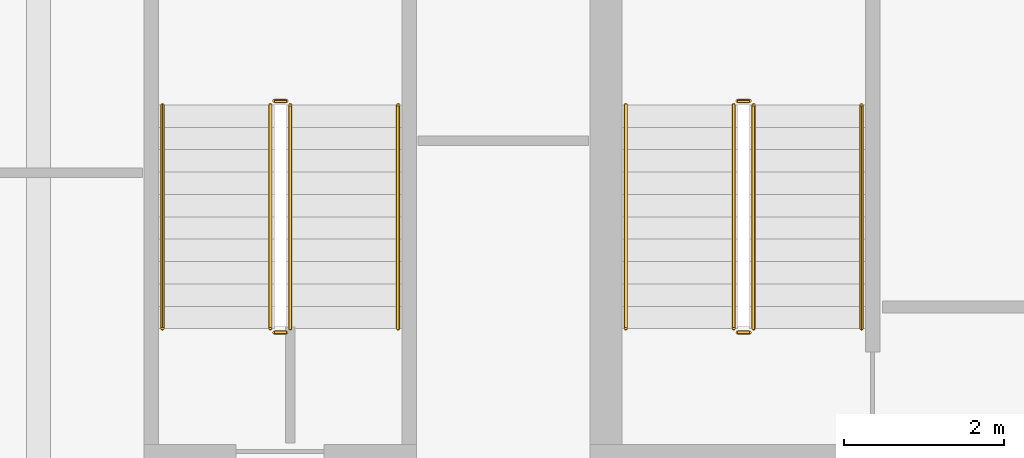
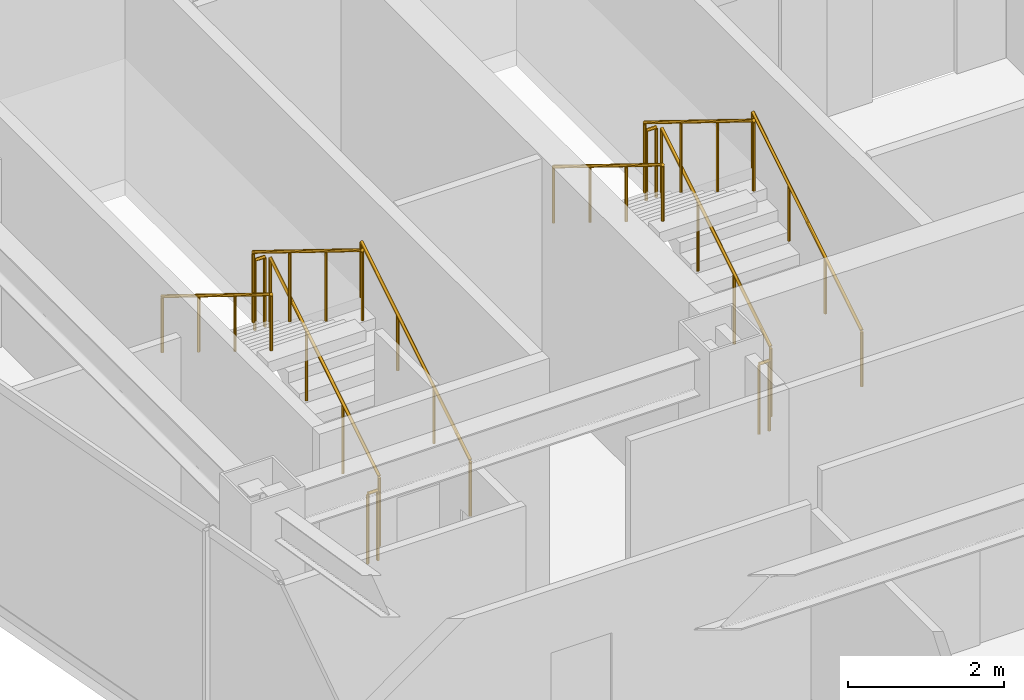
# One storey, part 30 of 32: 12 railings.
"""IFC4 building model written with IfcOpenShell, lengths in metres."""

import ifcopenshell
import ifcopenshell.guid

model = None  # the IFC model being written
_history = None  # IfcOwnerHistory: only IFC2X3 demands one
_inside = {}  # id of a spatial element -> (the spatial element, [elements in it])
_under = {}  # id of a project, library or spatial element -> (it, [spatial elements below it])
_declared = {}  # id of a project -> (the project, [libraries it declares])
_typed = {}  # id of a type object -> (the type object, [elements of that type])
_made_of = {}  # id of a material, layer set ... -> (it, [elements and type objects made of it])


def new_model(schema):
    """Start an empty IFC model of exactly this schema.

    Asked for "IFC4X3", IfcOpenShell would pick the latest addendum, in which some entities
    have other attributes; the version numbers below select the first issue.
    IFC2X3 requires an IfcOwnerHistory on every rooted entity: one is made here for all.
    """
    global model, _history
    if schema == "IFC4X3":
        model = ifcopenshell.file(schema_version=(4, 3, 0, 0))
    else:
        model = ifcopenshell.file(schema=schema)
    _inside.clear()
    _under.clear()
    _declared.clear()
    _typed.clear()
    _made_of.clear()
    _history = None
    if model.schema == "IFC2X3":
        org = make("IfcOrganization", Name="unknown")
        user = make(
            "IfcPersonAndOrganization",
            ThePerson=make("IfcPerson", FamilyName="unknown"),
            TheOrganization=org,
        )
        app = make(
            "IfcApplication",
            ApplicationDeveloper=org,
            Version="unknown",
            ApplicationFullName="unknown",
            ApplicationIdentifier="unknown",
        )
        _history = make(
            "IfcOwnerHistory",
            OwningUser=user,
            OwningApplication=app,
            ChangeAction="ADDED",
            CreationDate=0,
        )
    return model


def make(cls, **values):
    """One entity of the class cls with the attributes given. An attribute that is None is left unset."""
    return model.create_entity(
        cls, **{name: value for name, value in values.items() if value is not None}
    )


def rooted(cls, **values):
    """An entity with a GlobalId (a new one), such as an element, a storey or a relation."""
    return make(cls, GlobalId=ifcopenshell.guid.new(), OwnerHistory=_history, **values)


def si_unit(unit_type, name, prefix=None):
    """IfcSIUnit, for example si_unit("LENGTHUNIT", "METRE", prefix="MILLI")."""
    return make("IfcSIUnit", UnitType=unit_type, Prefix=prefix, Name=name)


def assignment(units):
    """IfcUnitAssignment: the units of a project."""
    return None if units is None else make("IfcUnitAssignment", Units=units)


def point(xyz):
    """IfcCartesianPoint."""
    return None if xyz is None else make("IfcCartesianPoint", Coordinates=xyz)


def direction(xyz):
    """IfcDirection."""
    return None if xyz is None else make("IfcDirection", DirectionRatios=xyz)


def frame(location, z_axis=None, x_axis=None):
    """IfcAxis2Placement3D, a coordinate frame: its origin and axes. An axis left out is left unset."""
    return make(
        "IfcAxis2Placement3D",
        Location=point(location),
        Axis=direction(z_axis),
        RefDirection=direction(x_axis),
    )


def frame_2d(location, x_axis=None):
    """IfcAxis2Placement2D, a coordinate frame in the plane: its origin and x axis."""
    return make(
        "IfcAxis2Placement2D", Location=point(location), RefDirection=direction(x_axis)
    )


def origin():
    """The frame at (0, 0, 0) with its axes left unset."""
    return frame((0.0, 0.0, 0.0))


def origin_2d():
    """The frame at (0, 0) in the plane with its x axis left unset."""
    return frame_2d((0.0, 0.0))


def place(relative_to, where):
    """IfcLocalPlacement: puts the frame where relative to a parent placement (None: the world)."""
    return make(
        "IfcLocalPlacement", PlacementRelTo=relative_to, RelativePlacement=where
    )


def context(
    kind, dimensions, precision=None, world=None, true_north=None, identifier=None
):
    """IfcGeometricRepresentationContext, for example the 3D "Model" context."""
    return make(
        "IfcGeometricRepresentationContext",
        ContextIdentifier=identifier,
        ContextType=kind,
        CoordinateSpaceDimension=dimensions,
        Precision=precision,
        WorldCoordinateSystem=world,
        TrueNorth=true_north,
    )


def subcontext(parent, identifier, kind, view, scale=None):
    """IfcGeometricRepresentationSubContext, for example "Body" below "Model"."""
    return make(
        "IfcGeometricRepresentationSubContext",
        ContextIdentifier=identifier,
        ContextType=kind,
        ParentContext=parent,
        TargetScale=scale,
        TargetView=view,
    )


def project(units=None, contexts=None):
    """IfcProject with its units and contexts."""
    return rooted(
        "IfcProject",
        Name="project",
        RepresentationContexts=contexts,
        UnitsInContext=assignment(units),
    )


def spatial(cls, under=None, at=None, **own):
    """A site, building, storey or space (cls), placed at a placement, below another one or the project."""
    s = rooted(cls, ObjectPlacement=at, **own)
    if under is not None:
        _under.setdefault(under.id(), (under, []))[1].append(s)
    return s


def profile(cls, at=None, kind="AREA", **sizes):
    """A parametric profile (cls). Its sizes go by their IFC names, for example OverallWidth=200.0."""
    return make(cls, ProfileType=kind, Position=at, **sizes)


def circle(**sizes):
    """IfcCircleProfileDef."""
    return profile("IfcCircleProfileDef", **sizes)


def extrude(swept, where, along, depth):
    """IfcExtrudedAreaSolid: the profile swept, set in the frame where, extruded along a direction by depth."""
    return make(
        "IfcExtrudedAreaSolid",
        SweptArea=swept,
        Position=where,
        ExtrudedDirection=direction(along),
        Depth=depth,
    )


def shape(context_of_items, identifier, shape_type, items):
    """IfcShapeRepresentation: the items that make up one representation, for example the "Body"."""
    return make(
        "IfcShapeRepresentation",
        ContextOfItems=context_of_items,
        RepresentationIdentifier=identifier,
        RepresentationType=shape_type,
        Items=items,
    )


def material(Name=None, Category=None):
    """IfcMaterial."""
    return make("IfcMaterial", Name=Name, Category=Category)


def made_of(thing, what):
    """Note that an element or type object is made of a material, layer set ...; save() writes the relation."""
    if what is not None:
        _made_of.setdefault(what.id(), (what, []))[1].append(thing)
    return thing


def type_object(cls, material=None, **own):
    """A type object (cls), such as IfcWallType, which elements share."""
    return made_of(rooted(cls, **own), material)


def element(
    cls,
    number,
    at=None,
    inside=None,
    cuts=None,
    type_object=None,
    material=None,
    context=None,
    identifier="Body",
    shape_type=None,
    held_by="IfcProductDefinitionShape",
    body=None,
    shapes=None,
    **own,
):
    """One element of the class cls, such as IfcWall. Its Tag is "e" and its number.

    at: its placement. inside: the storey or other place that contains it. cuts: it is an
    opening in that element (IfcRelVoidsElement). A single representation is given by context,
    identifier, shape_type and body (its items); several are given by shapes. held_by: the class
    of the entity that holds the representations. save() writes the other relations.
    """
    e = rooted(cls, Tag="e%d" % number, ObjectPlacement=at, **own)
    if body is not None:
        shapes = [shape(context, identifier, shape_type, body)]
    if shapes is not None:
        e.Representation = make(held_by, Representations=shapes)
    if inside is not None:
        _inside.setdefault(inside.id(), (inside, []))[1].append(e)
    if cuts is not None:
        rooted(
            "IfcRelVoidsElement", RelatingBuildingElement=cuts, RelatedOpeningElement=e
        )
    if type_object is not None:
        _typed.setdefault(type_object.id(), (type_object, []))[1].append(e)
    return made_of(e, material)


def aggregate(whole, parts):
    """IfcRelAggregates: a whole, such as a stair, and the parts it consists of."""
    return rooted("IfcRelAggregates", RelatingObject=whole, RelatedObjects=parts)


def save(model, path):
    """Write the relations noted so far, then the file.

    IfcRelAggregates (storeys below a building ...), IfcRelContainedInSpatialStructure (elements
    in a storey), IfcRelDefinesByType, IfcRelAssociatesMaterial and IfcRelDeclares: one each for
    every whole, place, type object, material and project.
    """
    for whole, parts in _under.values():
        aggregate(whole, parts)
    for where, things in _inside.values():
        rooted(
            "IfcRelContainedInSpatialStructure",
            RelatedElements=things,
            RelatingStructure=where,
        )
    for kind, things in _typed.values():
        rooted("IfcRelDefinesByType", RelatedObjects=things, RelatingType=kind)
    for what, things in _made_of.values():
        rooted("IfcRelAssociatesMaterial", RelatedObjects=things, RelatingMaterial=what)
    for by, libraries in _declared.values():
        rooted("IfcRelDeclares", RelatingContext=by, RelatedDefinitions=libraries)
    model.write(path)


model = new_model("IFC4")

# Units and contexts
model_context = context("Model", 3, precision=1e-05, world=origin(), true_north=direction((0.0, 1.0)))
body_context = subcontext(model_context, "Body", "Model", "MODEL_VIEW")
ifc_project = project(units=[si_unit("LENGTHUNIT", "METRE"), si_unit("AREAUNIT", "SQUARE_METRE"), si_unit("VOLUMEUNIT", "CUBIC_METRE"), si_unit("PLANEANGLEUNIT", "RADIAN"), si_unit("MASSUNIT", "GRAM", prefix="KILO")], contexts=[model_context])

# Site, building, storey
site_placement = place(None, origin())
site = spatial("IfcSite", under=ifc_project, at=site_placement, CompositionType="ELEMENT")
building_placement = place(site_placement, origin())
building = spatial("IfcBuilding", under=site, at=building_placement, Name="Saevonmaru Cultural Tower", CompositionType="ELEMENT")
storey_placement = place(building_placement, frame((0.0, 0.0, 242.0)))
storey = spatial("IfcBuildingStorey", under=building, at=storey_placement, Name="L56", CompositionType="ELEMENT", Elevation=242.0)

# Railings
ifc_material_1 = material(Name="Architectural Painted Steel", Category="steel")
railing_type_1 = type_object("IfcRailingType", Name="RL-STAIR-GUARD", PredefinedType="GUARDRAIL", material=ifc_material_1)
railing_1_placement = place(storey_placement, frame((15.75, 44.85009765625, 0.172607421875)))
element("IfcRailing", 1, at=railing_1_placement, inside=storey, type_object=railing_type_1, Name="L56 ST-1 stair guard 1", PredefinedType="GUARDRAIL", context=body_context, shape_type="SweptSolid", body=[
    extrude(circle(Radius=0.02392578125, at=origin_2d()), frame((0.0, 0.0, 1.09619140625), z_axis=(0.0, 0.851069175582, 0.525053576669), x_axis=(-1.0, 0.0, 0.0)), (0.0, 0.0, 1.0), 3.289794921875),
    extrude(circle(Radius=0.02099609375, at=origin_2d()), origin(), (0.0, 0.0, 1.0), 1.072021484375),
    extrude(circle(Radius=0.02099609375, at=origin_2d()), frame((0.0, 0.933349609375, 0.57568359375)), (0.0, 0.0, 1.0), 1.072021484375),
    extrude(circle(Radius=0.02099609375, at=origin_2d()), frame((0.0, 1.866455078125, 1.151611328125)), (0.0, 0.0, 1.0), 1.072021484375),
    extrude(circle(Radius=0.02099609375, at=origin_2d()), frame((0.0, 2.7998046875, 1.727294921875)), (0.0, 0.0, 1.0), 1.072021484375),
])
railing_2_placement = place(storey_placement, frame((15.699951171875, 47.699951171875, 1.89990234375)))
element("IfcRailing", 2, at=railing_2_placement, inside=storey, type_object=railing_type_1, Name="L56 ST-1 stair guard 2", PredefinedType="GUARDRAIL", context=body_context, shape_type="SweptSolid", body=[
    extrude(circle(Radius=0.02392578125, at=origin_2d()), frame((0.0, 0.0, 1.09619140625), z_axis=(-1.0, 0.0, 0.0), x_axis=(0.0, -1.0, 0.0)), (0.0, 0.0, 1.0), 0.14990234375),
    extrude(circle(Radius=0.02099609375, at=origin_2d()), origin(), (0.0, 0.0, 1.0), 1.072021484375),
    extrude(circle(Radius=0.02099609375, at=origin_2d()), frame((-0.14990234375, 0.0, 0.0)), (0.0, 0.0, 1.0), 1.072021484375),
])
railing_3_placement = place(storey_placement, frame((15.5, 47.64990234375, 2.07275390625)))
element("IfcRailing", 3, at=railing_3_placement, inside=storey, type_object=railing_type_1, Name="L56 ST-1 stair guard 3", PredefinedType="GUARDRAIL", context=body_context, shape_type="SweptSolid", body=[
    extrude(circle(Radius=0.02392578125, at=origin_2d()), frame((0.0, 0.0, 1.09619140625), z_axis=(0.0, -0.851069175582, 0.525053576669), x_axis=(1.0, 0.0, 0.0)), (0.0, 0.0, 1.0), 3.289794921875),
    extrude(circle(Radius=0.02099609375, at=origin_2d()), origin(), (0.0, 0.0, 1.0), 1.072021484375),
    extrude(circle(Radius=0.02099609375, at=origin_2d()), frame((0.0, -0.933349609375, 0.57568359375)), (0.0, 0.0, 1.0), 1.072021484375),
    extrude(circle(Radius=0.02099609375, at=origin_2d()), frame((0.0, -1.866455078125, 1.151611328125)), (0.0, 0.0, 1.0), 1.072021484375),
    extrude(circle(Radius=0.02099609375, at=origin_2d()), frame((0.0, -2.7998046875, 1.727294921875)), (0.0, 0.0, 1.0), 1.072021484375),
])
railing_4_placement = place(storey_placement, frame((15.699951171875, 44.800048828125, 0.0)))
element("IfcRailing", 4, at=railing_4_placement, inside=storey, type_object=railing_type_1, Name="L56 ST-1 stair guard 4", PredefinedType="GUARDRAIL", context=body_context, shape_type="SweptSolid", body=[
    extrude(circle(Radius=0.02392578125, at=origin_2d()), frame((0.0, 0.0, 1.09619140625), z_axis=(-1.0, 0.0, 0.0), x_axis=(0.0, -1.0, 0.0)), (0.0, 0.0, 1.0), 0.14990234375),
    extrude(circle(Radius=0.02099609375, at=origin_2d()), origin(), (0.0, 0.0, 1.0), 1.072021484375),
    extrude(circle(Radius=0.02099609375, at=origin_2d()), frame((-0.14990234375, 0.0, 0.0)), (0.0, 0.0, 1.0), 1.072021484375),
])
railing_5_placement = place(storey_placement, frame((9.949951171875, 44.85009765625, 0.172607421875)))
element("IfcRailing", 5, at=railing_5_placement, inside=storey, type_object=railing_type_1, Name="L56 ST-3 stair guard 1", PredefinedType="GUARDRAIL", context=body_context, shape_type="SweptSolid", body=[
    extrude(circle(Radius=0.02392578125, at=origin_2d()), frame((0.0, 0.0, 1.09619140625), z_axis=(0.0, 0.851069175582, 0.525053576669), x_axis=(-1.0, 0.0, 0.0)), (0.0, 0.0, 1.0), 3.289794921875),
    extrude(circle(Radius=0.02099609375, at=origin_2d()), origin(), (0.0, 0.0, 1.0), 1.072021484375),
    extrude(circle(Radius=0.02099609375, at=origin_2d()), frame((0.0, 0.933349609375, 0.57568359375)), (0.0, 0.0, 1.0), 1.072021484375),
    extrude(circle(Radius=0.02099609375, at=origin_2d()), frame((0.0, 1.866455078125, 1.151611328125)), (0.0, 0.0, 1.0), 1.072021484375),
    extrude(circle(Radius=0.02099609375, at=origin_2d()), frame((0.0, 2.7998046875, 1.727294921875)), (0.0, 0.0, 1.0), 1.072021484375),
])
railing_6_placement = place(storey_placement, frame((9.89990234375, 47.699951171875, 1.89990234375)))
element("IfcRailing", 6, at=railing_6_placement, inside=storey, type_object=railing_type_1, Name="L56 ST-3 stair guard 2", PredefinedType="GUARDRAIL", context=body_context, shape_type="SweptSolid", body=[
    extrude(circle(Radius=0.02392578125, at=origin_2d()), frame((0.0, 0.0, 1.09619140625), z_axis=(-1.0, 0.0, 0.0), x_axis=(0.0, -1.0, 0.0)), (0.0, 0.0, 1.0), 0.14990234375),
    extrude(circle(Radius=0.02099609375, at=origin_2d()), origin(), (0.0, 0.0, 1.0), 1.072021484375),
    extrude(circle(Radius=0.02099609375, at=origin_2d()), frame((-0.14990234375, 0.0, 0.0)), (0.0, 0.0, 1.0), 1.072021484375),
])
railing_7_placement = place(storey_placement, frame((9.699951171875, 47.64990234375, 2.07275390625)))
element("IfcRailing", 7, at=railing_7_placement, inside=storey, type_object=railing_type_1, Name="L56 ST-3 stair guard 3", PredefinedType="GUARDRAIL", context=body_context, shape_type="SweptSolid", body=[
    extrude(circle(Radius=0.02392578125, at=origin_2d()), frame((0.0, 0.0, 1.09619140625), z_axis=(0.0, -0.851069175582, 0.525053576669), x_axis=(1.0, 0.0, 0.0)), (0.0, 0.0, 1.0), 3.289794921875),
    extrude(circle(Radius=0.02099609375, at=origin_2d()), origin(), (0.0, 0.0, 1.0), 1.072021484375),
    extrude(circle(Radius=0.02099609375, at=origin_2d()), frame((0.0, -0.933349609375, 0.57568359375)), (0.0, 0.0, 1.0), 1.072021484375),
    extrude(circle(Radius=0.02099609375, at=origin_2d()), frame((0.0, -1.866455078125, 1.151611328125)), (0.0, 0.0, 1.0), 1.072021484375),
    extrude(circle(Radius=0.02099609375, at=origin_2d()), frame((0.0, -2.7998046875, 1.727294921875)), (0.0, 0.0, 1.0), 1.072021484375),
])
railing_8_placement = place(storey_placement, frame((9.89990234375, 44.800048828125, 0.0)))
element("IfcRailing", 8, at=railing_8_placement, inside=storey, type_object=railing_type_1, Name="L56 ST-3 stair guard 4", PredefinedType="GUARDRAIL", context=body_context, shape_type="SweptSolid", body=[
    extrude(circle(Radius=0.02392578125, at=origin_2d()), frame((0.0, 0.0, 1.09619140625), z_axis=(-1.0, 0.0, 0.0), x_axis=(0.0, -1.0, 0.0)), (0.0, 0.0, 1.0), 0.14990234375),
    extrude(circle(Radius=0.02099609375, at=origin_2d()), origin(), (0.0, 0.0, 1.0), 1.072021484375),
    extrude(circle(Radius=0.02099609375, at=origin_2d()), frame((-0.14990234375, 0.0, 0.0)), (0.0, 0.0, 1.0), 1.072021484375),
])
ifc_material_2 = material(Name="Satin Bronze Anodised Aluminium", Category="aluminium")
railing_type_2 = type_object("IfcRailingType", Name="RL-STAIR-HANDRAIL", PredefinedType="HANDRAIL", material=ifc_material_2)
railing_9_placement = place(storey_placement, frame((17.10009765625, 44.85009765625, 0.172607421875)))
element("IfcRailing", 9, at=railing_9_placement, inside=storey, type_object=railing_type_2, Name="L56 ST-1 stair handrail 1", PredefinedType="HANDRAIL", context=body_context, shape_type="SweptSolid", body=[
    extrude(circle(Radius=0.02392578125, at=origin_2d()), frame((0.0, 0.0, 0.8759765625), z_axis=(0.0, 0.851069175582, 0.525053576669), x_axis=(-1.0, 0.0, 0.0)), (0.0, 0.0, 1.0), 3.289794921875),
    extrude(circle(Radius=0.02099609375, at=origin_2d()), origin(), (0.0, 0.0, 1.0), 0.851806640625),
    extrude(circle(Radius=0.02099609375, at=origin_2d()), frame((0.0, 0.933349609375, 0.57568359375)), (0.0, 0.0, 1.0), 0.851806640625),
    extrude(circle(Radius=0.02099609375, at=origin_2d()), frame((0.0, 1.866455078125, 1.151611328125)), (0.0, 0.0, 1.0), 0.851806640625),
    extrude(circle(Radius=0.02099609375, at=origin_2d()), frame((0.0, 2.7998046875, 1.727294921875)), (0.0, 0.0, 1.0), 0.851806640625),
])
railing_10_placement = place(storey_placement, frame((14.14990234375, 47.64990234375, 2.07275390625)))
element("IfcRailing", 10, at=railing_10_placement, inside=storey, type_object=railing_type_2, Name="L56 ST-1 stair handrail 2", PredefinedType="HANDRAIL", context=body_context, shape_type="SweptSolid", body=[
    extrude(circle(Radius=0.02392578125, at=origin_2d()), frame((0.0, 0.0, 0.8759765625), z_axis=(0.0, -0.851069175582, 0.525053576669), x_axis=(1.0, 0.0, 0.0)), (0.0, 0.0, 1.0), 3.289794921875),
    extrude(circle(Radius=0.02099609375, at=origin_2d()), origin(), (0.0, 0.0, 1.0), 0.851806640625),
    extrude(circle(Radius=0.02099609375, at=origin_2d()), frame((0.0, -0.933349609375, 0.57568359375)), (0.0, 0.0, 1.0), 0.851806640625),
    extrude(circle(Radius=0.02099609375, at=origin_2d()), frame((0.0, -1.866455078125, 1.151611328125)), (0.0, 0.0, 1.0), 0.851806640625),
    extrude(circle(Radius=0.02099609375, at=origin_2d()), frame((0.0, -2.7998046875, 1.727294921875)), (0.0, 0.0, 1.0), 0.851806640625),
])
railing_11_placement = place(storey_placement, frame((11.300048828125, 44.85009765625, 0.172607421875)))
element("IfcRailing", 11, at=railing_11_placement, inside=storey, type_object=railing_type_2, Name="L56 ST-3 stair handrail 1", PredefinedType="HANDRAIL", context=body_context, shape_type="SweptSolid", body=[
    extrude(circle(Radius=0.02392578125, at=origin_2d()), frame((0.0, 0.0, 0.8759765625), z_axis=(0.0, 0.851069175582, 0.525053576669), x_axis=(-1.0, 0.0, 0.0)), (0.0, 0.0, 1.0), 3.289794921875),
    extrude(circle(Radius=0.02099609375, at=origin_2d()), origin(), (0.0, 0.0, 1.0), 0.851806640625),
    extrude(circle(Radius=0.02099609375, at=origin_2d()), frame((0.0, 0.933349609375, 0.57568359375)), (0.0, 0.0, 1.0), 0.851806640625),
    extrude(circle(Radius=0.02099609375, at=origin_2d()), frame((0.0, 1.866455078125, 1.151611328125)), (0.0, 0.0, 1.0), 0.851806640625),
    extrude(circle(Radius=0.02099609375, at=origin_2d()), frame((0.0, 2.7998046875, 1.727294921875)), (0.0, 0.0, 1.0), 0.851806640625),
])
railing_12_placement = place(storey_placement, frame((8.35009765625, 47.64990234375, 2.07275390625)))
element("IfcRailing", 12, at=railing_12_placement, inside=storey, type_object=railing_type_2, Name="L56 ST-3 stair handrail 2", PredefinedType="HANDRAIL", context=body_context, shape_type="SweptSolid", body=[
    extrude(circle(Radius=0.02392578125, at=origin_2d()), frame((0.0, 0.0, 0.8759765625), z_axis=(0.0, -0.851069175582, 0.525053576669), x_axis=(1.0, 0.0, 0.0)), (0.0, 0.0, 1.0), 3.289794921875),
    extrude(circle(Radius=0.02099609375, at=origin_2d()), origin(), (0.0, 0.0, 1.0), 0.851806640625),
    extrude(circle(Radius=0.02099609375, at=origin_2d()), frame((0.0, -0.933349609375, 0.57568359375)), (0.0, 0.0, 1.0), 0.851806640625),
    extrude(circle(Radius=0.02099609375, at=origin_2d()), frame((0.0, -1.866455078125, 1.151611328125)), (0.0, 0.0, 1.0), 0.851806640625),
    extrude(circle(Radius=0.02099609375, at=origin_2d()), frame((0.0, -2.7998046875, 1.727294921875)), (0.0, 0.0, 1.0), 0.851806640625),
])

save(model, "model.ifc")
